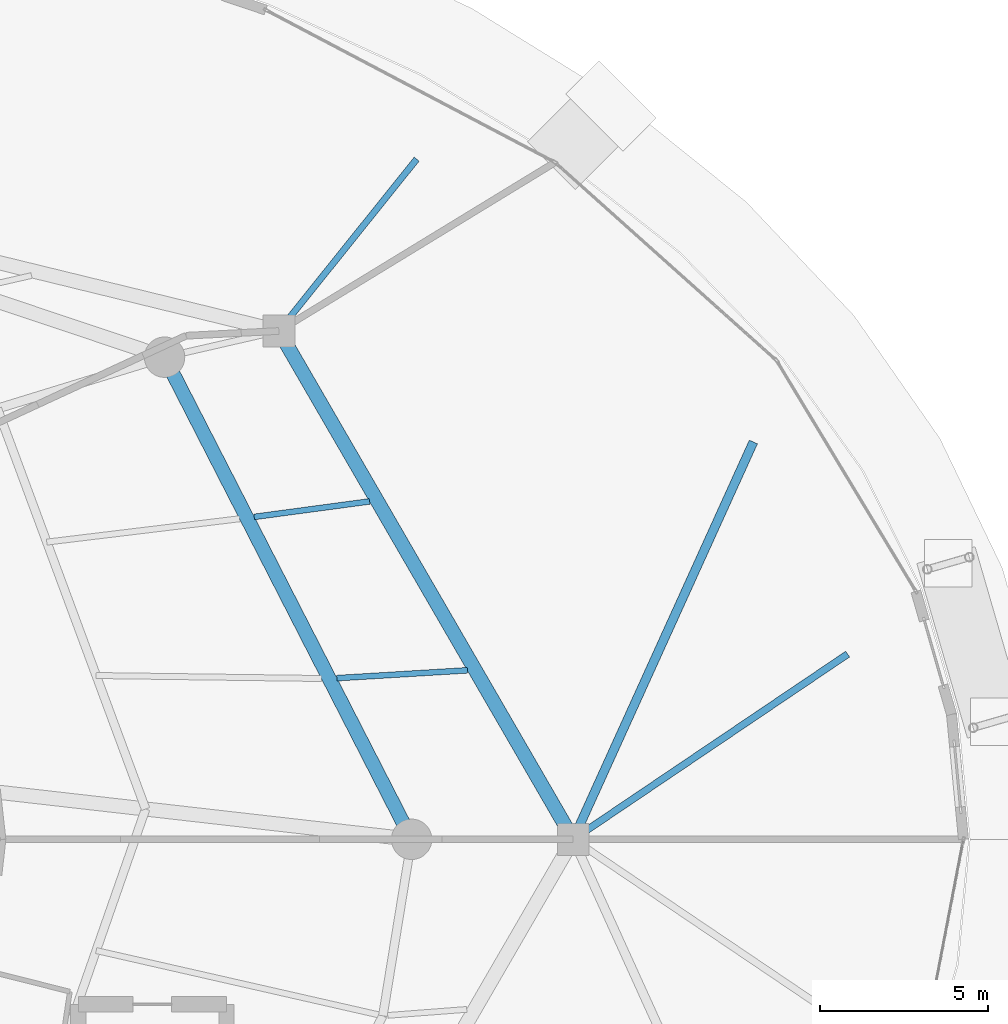
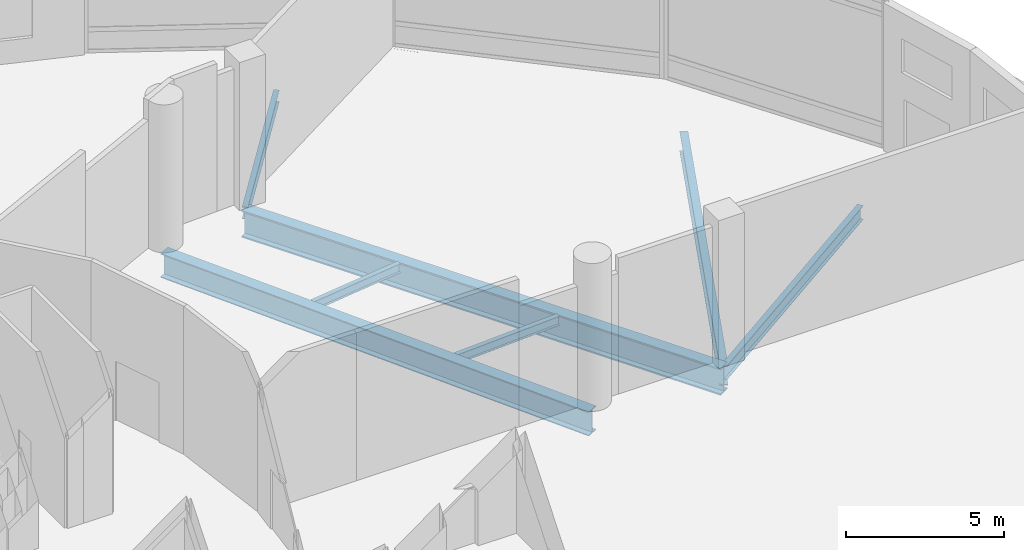
# One storey, part 25 of 40: 7 beams.
"""IFC4 building model written with IfcOpenShell, lengths in metres."""

from ifc_helpers import new_model, si_unit, direction, frame, origin, origin_2d, place, context, subcontext, project, spatial, i_section, extrude, material, material_profile, profile_set, type_object, element, save


model = new_model("IFC4")

# Units and contexts
model_context = context("Model", 3, precision=1e-05, world=origin(), true_north=direction((0.0, 1.0)))
body_context = subcontext(model_context, "Body", "Model", "MODEL_VIEW")
ifc_project = project(units=[si_unit("LENGTHUNIT", "METRE"), si_unit("AREAUNIT", "SQUARE_METRE"), si_unit("VOLUMEUNIT", "CUBIC_METRE"), si_unit("PLANEANGLEUNIT", "RADIAN"), si_unit("MASSUNIT", "GRAM", prefix="KILO")], contexts=[model_context])

# Site, building, storey
site_placement = place(None, origin())
site = spatial("IfcSite", under=ifc_project, at=site_placement, CompositionType="ELEMENT")
building_placement = place(site_placement, origin())
building = spatial("IfcBuilding", under=site, at=building_placement, Name="Nuhasar Tower", CompositionType="ELEMENT")
storey_placement = place(building_placement, origin())
storey = spatial("IfcBuildingStorey", under=building, at=storey_placement, Name="L00", CompositionType="ELEMENT", Elevation=0.0)

# Beams
ifc_material_1 = material(Name="Steel S355", Category="steel")
ifc_material_profile_1 = material_profile(ifc_material_1, i_section(OverallWidth=0.1708984375, OverallDepth=0.35205078125, WebThickness=0.0068359375, FlangeThickness=0.009765625, at=origin_2d()), Name="W14X30")
ifc_profile_set_1 = profile_set([ifc_material_profile_1], Name="Steel S355")
beam_type_1 = type_object("IfcBeamType", Name="BM-JST-W14X30", PredefinedType="JOIST", material=ifc_profile_set_1)
beam_1_placement = place(storey_placement, frame((61.8291015625, 31.5859375, -0.49609375), z_axis=(0.998196568367, 0.060030083299, 0.0), x_axis=(-0.060030083299, 0.998196568367, 0.0)))
element("IfcBeam", 1, at=beam_1_placement, inside=storey, type_object=beam_type_1, Name="L00 Podium Secondary Joist 07", PredefinedType="JOIST", context=body_context, shape_type="SweptSolid", body=[
    extrude(i_section(OverallWidth=0.1708984375, OverallDepth=0.35205078125, WebThickness=0.0068359375, FlangeThickness=0.009765625, at=origin_2d()), origin(), (0.0, 0.0, 1.0), 3.884033203125),
])
beam_2_placement = place(storey_placement, frame((59.375, 36.375, -0.49609375), z_axis=(0.991102825543, 0.133098419226, 0.0), x_axis=(-0.133098419226, 0.991102825543, 0.0)))
element("IfcBeam", 2, at=beam_2_placement, inside=storey, type_object=beam_type_1, Name="L00 Podium Secondary Joist 08", PredefinedType="JOIST", context=body_context, shape_type="SweptSolid", body=[
    extrude(i_section(OverallWidth=0.1708984375, OverallDepth=0.35205078125, WebThickness=0.0068359375, FlangeThickness=0.009765625, at=origin_2d()), origin(), (0.0, 0.0, 1.0), 3.455810546875),
])
ifc_material_profile_2 = material_profile(ifc_material_1, i_section(OverallWidth=0.419921875, OverallDepth=0.931884765625, WebThickness=0.021240234375, FlangeThickness=0.03662109375, at=origin_2d()), Name="W36X262")
ifc_profile_set_2 = profile_set([ifc_material_profile_2], Name="Steel S355")
beam_type_2 = type_object("IfcBeamType", Name="BM-POD-W36X262", PredefinedType="BEAM", material=ifc_profile_set_2)
beam_3_placement = place(storey_placement, frame((64.050048828125, 26.800048828125, -0.785888671875), z_axis=(-0.456029199343, 0.889964813544, 0.0), x_axis=(-0.889964813544, -0.456029199343, 0.0)))
element("IfcBeam", 3, at=beam_3_placement, inside=storey, type_object=beam_type_2, Name="L00 Mega-Column Ring Girder 04", PredefinedType="BEAM", context=body_context, shape_type="SweptSolid", body=[
    extrude(i_section(OverallWidth=0.419921875, OverallDepth=0.931884765625, WebThickness=0.021240234375, FlangeThickness=0.03662109375, at=origin_2d()), origin(), (0.0, 0.0, 1.0), 16.089111328125),
])
ifc_material_profile_3 = material_profile(ifc_material_1, i_section(OverallWidth=0.18994140625, OverallDepth=0.45703125, WebThickness=0.009033203125, FlangeThickness=0.014404296875, at=origin_2d()), Name="W18X50")
ifc_profile_set_3 = profile_set([ifc_material_profile_3], Name="Steel S355")
beam_type_3 = type_object("IfcBeamType", Name="BM-RAD-W18X50", PredefinedType="BEAM", material=ifc_profile_set_3)
beam_4_placement = place(storey_placement, frame((60.10693359375, 41.89697265625, -0.548095703125), z_axis=(0.625682182074, 0.780078077525, 0.0), x_axis=(-0.780078077525, 0.625682182074, 0.0)))
element("IfcBeam", 4, at=beam_4_placement, inside=storey, type_object=beam_type_3, Name="L00 Substructure Cap Tie Girder 09", PredefinedType="BEAM", context=body_context, shape_type="SweptSolid", body=[
    extrude(i_section(OverallWidth=0.18994140625, OverallDepth=0.45703125, WebThickness=0.009033203125, FlangeThickness=0.014404296875, at=origin_2d()), origin(), (0.0, 0.0, 1.0), 6.541748046875),
])
ifc_material_profile_4 = material_profile(ifc_material_1, i_section(OverallWidth=0.208984375, OverallDepth=0.532958984375, WebThickness=0.01025390625, FlangeThickness=0.015625, at=origin_2d()), Name="W21X62")
ifc_profile_set_4 = profile_set([ifc_material_profile_4], Name="Steel S355")
beam_type_4 = type_object("IfcBeamType", Name="BM-RAD-W21X62", PredefinedType="BEAM", material=ifc_profile_set_4)
beam_5_placement = place(storey_placement, frame((68.85009765625, 26.800048828125, -0.5869140625), z_axis=(0.828904515443, 0.559390118145, 0.0), x_axis=(-0.559390118145, 0.828904515443, 0.0)))
element("IfcBeam", 5, at=beam_5_placement, inside=storey, type_object=beam_type_4, Name="L00 Substructure Cap Tie Girder 07", PredefinedType="BEAM", context=body_context, shape_type="SweptSolid", body=[
    extrude(i_section(OverallWidth=0.208984375, OverallDepth=0.532958984375, WebThickness=0.01025390625, FlangeThickness=0.015625, at=origin_2d()), origin(), (0.0, 0.0, 1.0), 9.83203125),
])
ifc_material_profile_5 = material_profile(ifc_material_1, i_section(OverallWidth=0.26611328125, OverallDepth=0.779052734375, WebThickness=0.0166015625, FlangeThickness=0.030029296875, at=origin_2d()), Name="W30X148")
ifc_profile_set_5 = profile_set([ifc_material_profile_5], Name="Steel S355")
beam_type_5 = type_object("IfcBeamType", Name="BM-RAD-W30X148", PredefinedType="BEAM", material=ifc_profile_set_5)
beam_6_placement = place(storey_placement, frame((68.85009765625, 26.800048828125, -0.7099609375), z_axis=(0.412919682004, 0.910767443541, 0.0), x_axis=(-0.910767443541, 0.412919682004, 0.0)))
element("IfcBeam", 6, at=beam_6_placement, inside=storey, type_object=beam_type_5, Name="L00 Substructure Cap Tie Girder 08", PredefinedType="BEAM", context=body_context, shape_type="SweptSolid", body=[
    extrude(i_section(OverallWidth=0.26611328125, OverallDepth=0.779052734375, WebThickness=0.0166015625, FlangeThickness=0.030029296875, at=origin_2d()), origin(), (0.0, 0.0, 1.0), 12.9560546875),
])
ifc_material_2 = material(Name="Steel S460", Category="steel")
ifc_material_profile_6 = material_profile(ifc_material_2, i_section(OverallWidth=0.419921875, OverallDepth=1.0400390625, WebThickness=0.031005859375, FlangeThickness=0.055908203125, at=origin_2d()), Name="W40X397")
ifc_profile_set_6 = profile_set([ifc_material_profile_6], Name="Steel S460")
beam_type_6 = type_object("IfcBeamType", Name="BM-XFER-W40X397", PredefinedType="USERDEFINED", material=ifc_profile_set_6)
beam_7_placement = place(storey_placement, frame((68.85009765625, 26.800048828125, -0.840087890625), z_axis=(-0.501158177185, 0.865355696486, 0.0), x_axis=(-0.865355696486, -0.501158177185, 0.0)))
element("IfcBeam", 7, at=beam_7_placement, inside=storey, type_object=beam_type_6, Name="L00 Podium Ring Girder 04", ObjectType="GIRDER", PredefinedType="USERDEFINED", context=body_context, shape_type="SweptSolid", body=[
    extrude(i_section(OverallWidth=0.419921875, OverallDepth=1.0400390625, WebThickness=0.031005859375, FlangeThickness=0.055908203125, at=origin_2d()), origin(), (0.0, 0.0, 1.0), 17.44580078125),
])

save(model, "model.ifc")
